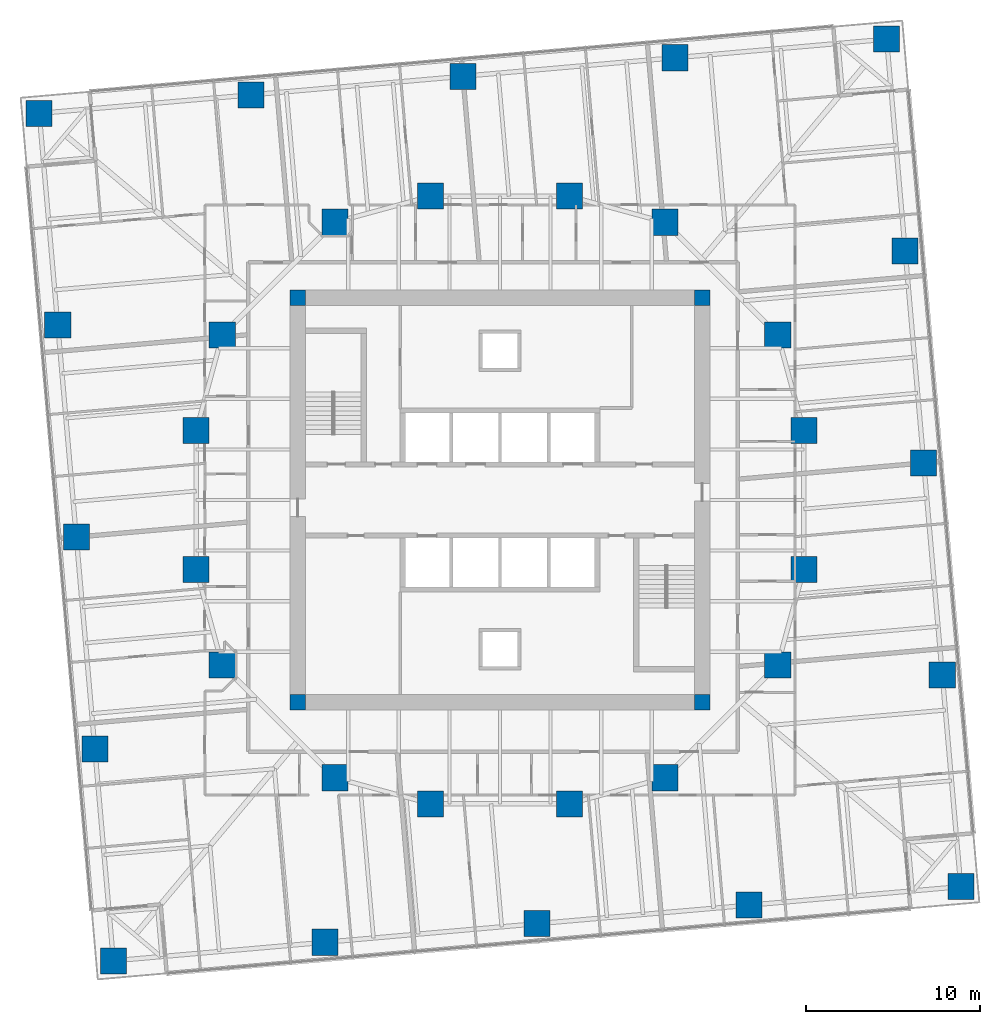
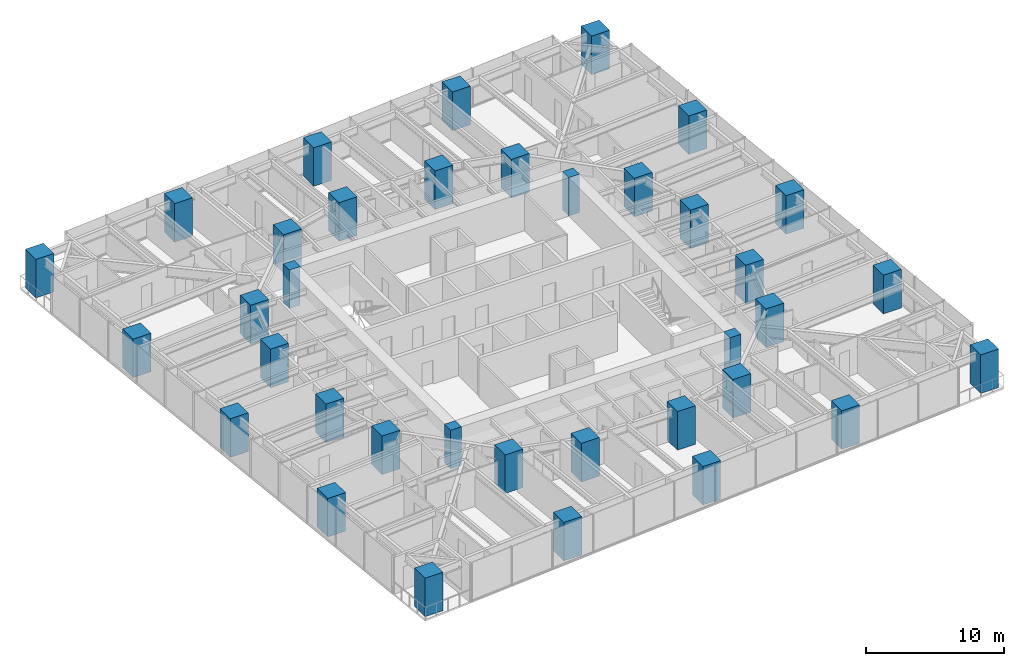
# One storey, part 1 of 14: 36 columns.
"""IFC4 building model written with IfcOpenShell, lengths in metres."""

from ifc_helpers import new_model, si_unit, direction, frame, origin, origin_2d, place, context, subcontext, project, spatial, rectangle, extrude, material, material_profile, profile_set, type_object, element, save


model = new_model("IFC4")

# Units and contexts
model_context = context("Model", 3, precision=1e-05, world=origin(), true_north=direction((0.0, 1.0)))
body_context = subcontext(model_context, "Body", "Model", "MODEL_VIEW")
ifc_project = project(units=[si_unit("LENGTHUNIT", "METRE"), si_unit("AREAUNIT", "SQUARE_METRE"), si_unit("VOLUMEUNIT", "CUBIC_METRE"), si_unit("PLANEANGLEUNIT", "RADIAN"), si_unit("MASSUNIT", "GRAM", prefix="KILO")], contexts=[model_context])

# Site, building, storey
site_placement = place(None, origin())
site = spatial("IfcSite", under=ifc_project, at=site_placement, CompositionType="ELEMENT")
building_placement = place(site_placement, origin())
building = spatial("IfcBuilding", under=site, at=building_placement, Name="Torsade Residences", CompositionType="ELEMENT")
storey_placement = place(building_placement, frame((0.0, 0.0, 50.60009765625)))
storey = spatial("IfcBuildingStorey", under=building, at=storey_placement, Name="L13", CompositionType="ELEMENT", Elevation=50.60009765625)

# Columns
ifc_material_1 = material(Name="Concrete 80 MPa", Category="concrete")
ifc_material_profile_1 = material_profile(ifc_material_1, rectangle(XDim=0.89990234375, YDim=0.89990234375, at=origin_2d()), Name="RC 900x900")
ifc_profile_set_1 = profile_set([ifc_material_profile_1], Name="Concrete 80 MPa")
column_type_1 = type_object("IfcColumnType", Name="CORE CORNER COLUMN RC 900x900", PredefinedType="COLUMN", material=ifc_profile_set_1)
for number, where, z_axis, x_axis, name in (
    (1, (28.35009765625, 18.35009765625, 0.0), (0.0, 0.0, 1.0), (1.0, 0.0, 0.0), "Core corner column CC1 L13"),
    (2, (51.64990234375, 18.35009765625, 0.0), (0.0, 0.0, 1.0), (1.0, 0.0, 0.0), "Core corner column CC2 L13"),
    (3, (51.64990234375, 41.64990234375, 0.0), (0.0, 0.0, 1.0), (1.0, 0.0, 0.0), "Core corner column CC3 L13"),
    (4, (28.35009765625, 41.64990234375, 0.0), (0.0, 0.0, 1.0), (1.0, 0.0, 0.0), "Core corner column CC4 L13"),
):
    element("IfcColumn", number, at=place(storey_placement, frame(where, z_axis=z_axis, x_axis=x_axis)), inside=storey, type_object=column_type_1, Name=name, PredefinedType="COLUMN", context=body_context, shape_type="SweptSolid", body=[
        extrude(rectangle(XDim=0.89990234375, YDim=0.89990234375, at=origin_2d()), origin(), (0.0, 0.0, 1.0), 3.39990234375),
    ])
ifc_material_2 = material(Name="Concrete 80 MPa", Category="concrete")
ifc_material_profile_2 = material_profile(ifc_material_2, rectangle(XDim=1.5, YDim=1.5, at=origin_2d()), Name="RC 1500x1500")
ifc_profile_set_2 = profile_set([ifc_material_profile_2], Name="Concrete 80 MPa")
column_type_2 = type_object("IfcColumnType", Name="INNER RING COLUMN RC 1500x1500", PredefinedType="COLUMN", material=ifc_profile_set_2)
for number, where, z_axis, x_axis, name in (
    (5, (57.5, 26.0, 0.0), (0.0, 0.0, 1.0), (1.0, 0.0, 0.0), "Inner ring column IR01 L13"),
    (6, (57.5, 34.0, 0.0), (0.0, 0.0, 1.0), (1.0, 0.0, 0.0), "Inner ring column IR02 L13"),
    (7, (56.0, 39.5, 0.0), (0.0, 0.0, 1.0), (1.0, 0.0, 0.0), "Inner ring column IR03 L13"),
    (8, (49.5, 46.0, 0.0), (0.0, 0.0, 1.0), (1.0, 0.0, 0.0), "Inner ring column IR04 L13"),
    (9, (44.0, 47.5, 0.0), (0.0, 0.0, 1.0), (1.0, 0.0, 0.0), "Inner ring column IR05 L13"),
    (10, (36.0, 47.5, 0.0), (0.0, 0.0, 1.0), (1.0, 0.0, 0.0), "Inner ring column IR06 L13"),
    (11, (30.5, 46.0, 0.0), (0.0, 0.0, 1.0), (1.0, 0.0, 0.0), "Inner ring column IR07 L13"),
    (12, (24.0, 39.5, 0.0), (0.0, 0.0, 1.0), (1.0, 0.0, 0.0), "Inner ring column IR08 L13"),
    (13, (22.5, 34.0, 0.0), (0.0, 0.0, 1.0), (1.0, 0.0, 0.0), "Inner ring column IR09 L13"),
    (14, (22.5, 26.0, 0.0), (0.0, 0.0, 1.0), (1.0, 0.0, 0.0), "Inner ring column IR10 L13"),
    (15, (24.0, 20.5, 0.0), (0.0, 0.0, 1.0), (1.0, 0.0, 0.0), "Inner ring column IR11 L13"),
    (16, (30.5, 14.0, 0.0), (0.0, 0.0, 1.0), (1.0, 0.0, 0.0), "Inner ring column IR12 L13"),
    (17, (36.0, 12.5, 0.0), (0.0, 0.0, 1.0), (1.0, 0.0, 0.0), "Inner ring column IR13 L13"),
    (18, (44.0, 12.5, 0.0), (0.0, 0.0, 1.0), (1.0, 0.0, 0.0), "Inner ring column IR14 L13"),
    (19, (49.5, 14.0, 0.0), (0.0, 0.0, 1.0), (1.0, 0.0, 0.0), "Inner ring column IR15 L13"),
    (20, (56.0, 20.5, 0.0), (0.0, 0.0, 1.0), (1.0, 0.0, 0.0), "Inner ring column IR16 L13"),
):
    element("IfcColumn", number, at=place(storey_placement, frame(where, z_axis=z_axis, x_axis=x_axis)), inside=storey, type_object=column_type_2, Name=name, PredefinedType="COLUMN", context=body_context, shape_type="SweptSolid", body=[
        extrude(rectangle(XDim=1.5, YDim=1.5, at=origin_2d()), origin(), (0.0, 0.0, 1.0), 3.39990234375),
    ])
ifc_material_3 = material(Name="Concrete 80 MPa", Category="concrete")
ifc_material_profile_3 = material_profile(ifc_material_3, rectangle(XDim=1.5, YDim=1.5, at=origin_2d()), Name="RC 1500x1500")
ifc_profile_set_3 = profile_set([ifc_material_profile_3], Name="Concrete 80 MPa")
column_type_3 = type_object("IfcColumnType", Name="TOWER COLUMN RC 1500x1500", PredefinedType="COLUMN", material=ifc_profile_set_3)
for number, where, z_axis, x_axis, name in (
    (21, (17.728515625, 3.4580078125, 0.0), (0.0, 0.0, 1.0), (1.0, 0.0, 0.0), "Column TC2-01 L13"),
    (22, (29.931884765625, 4.525634765625, 0.0), (0.0, 0.0, 1.0), (1.0, 0.0, 0.0), "Column TC2-02 L13"),
    (23, (42.13525390625, 5.59326171875, 0.0), (0.0, 0.0, 1.0), (1.0, 0.0, 0.0), "Column TC2-03 L13"),
    (24, (54.338623046875, 6.660888671875, 0.0), (0.0, 0.0, 1.0), (1.0, 0.0, 0.0), "Column TC2-04 L13"),
    (25, (66.5419921875, 7.728515625, 0.0), (0.0, 0.0, 1.0), (1.0, 0.0, 0.0), "Column TC2-05 L13"),
    (26, (65.474365234375, 19.931884765625, 0.0), (0.0, 0.0, 1.0), (1.0, 0.0, 0.0), "Column TC2-06 L13"),
    (27, (64.40673828125, 32.13525390625, 0.0), (0.0, 0.0, 1.0), (1.0, 0.0, 0.0), "Column TC2-07 L13"),
    (28, (63.339111328125, 44.338623046875, 0.0), (0.0, 0.0, 1.0), (1.0, 0.0, 0.0), "Column TC2-08 L13"),
    (29, (62.271484375, 56.5419921875, 0.0), (0.0, 0.0, 1.0), (1.0, 0.0, 0.0), "Column TC2-09 L13"),
    (30, (50.068115234375, 55.474365234375, 0.0), (0.0, 0.0, 1.0), (1.0, 0.0, 0.0), "Column TC2-10 L13"),
    (31, (37.86474609375, 54.40673828125, 0.0), (0.0, 0.0, 1.0), (1.0, 0.0, 0.0), "Column TC2-11 L13"),
    (32, (25.661376953125, 53.339111328125, 0.0), (0.0, 0.0, 1.0), (1.0, 0.0, 0.0), "Column TC2-12 L13"),
    (33, (13.4580078125, 52.271484375, 0.0), (0.0, 0.0, 1.0), (1.0, 0.0, 0.0), "Column TC2-13 L13"),
    (34, (14.525634765625, 40.068115234375, 0.0), (0.0, 0.0, 1.0), (1.0, 0.0, 0.0), "Column TC2-14 L13"),
    (35, (15.59326171875, 27.86474609375, 0.0), (0.0, 0.0, 1.0), (1.0, 0.0, 0.0), "Column TC2-15 L13"),
    (36, (16.660888671875, 15.661376953125, 0.0), (0.0, 0.0, 1.0), (1.0, 0.0, 0.0), "Column TC2-16 L13"),
):
    element("IfcColumn", number, at=place(storey_placement, frame(where, z_axis=z_axis, x_axis=x_axis)), inside=storey, type_object=column_type_3, Name=name, PredefinedType="COLUMN", context=body_context, shape_type="SweptSolid", body=[
        extrude(rectangle(XDim=1.5, YDim=1.5, at=origin_2d()), origin(), (0.0, 0.0, 1.0), 3.39990234375),
    ])

save(model, "model.ifc")
